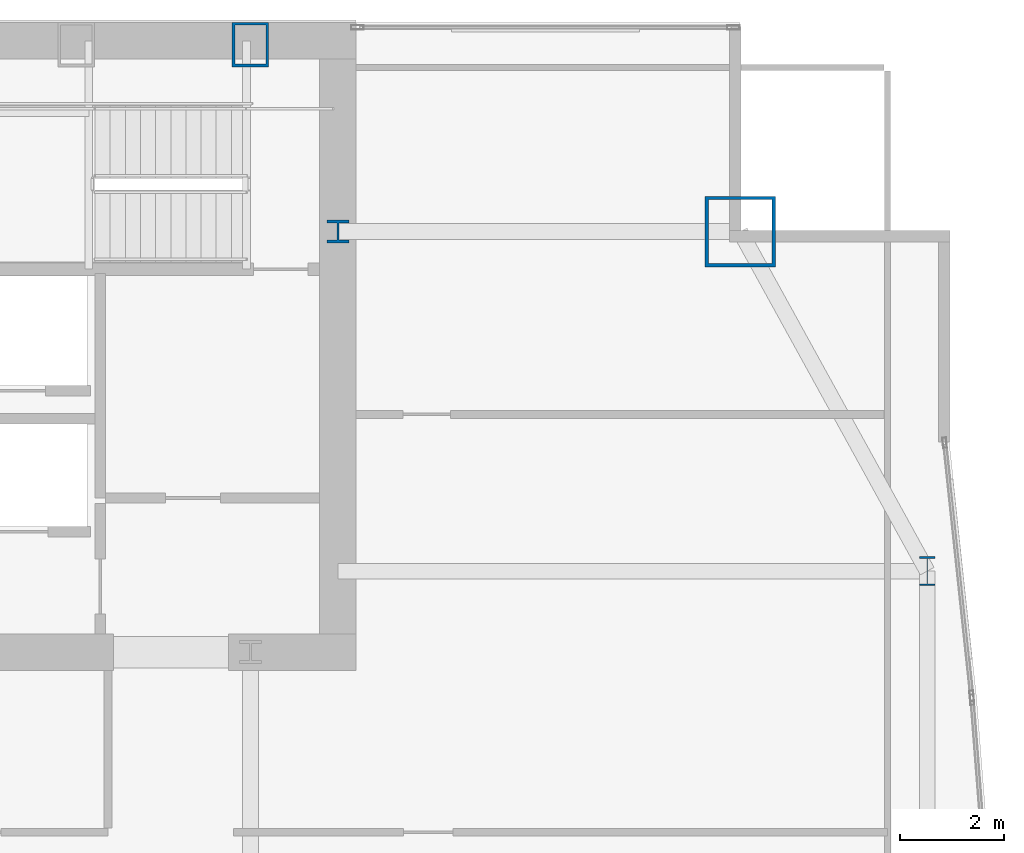
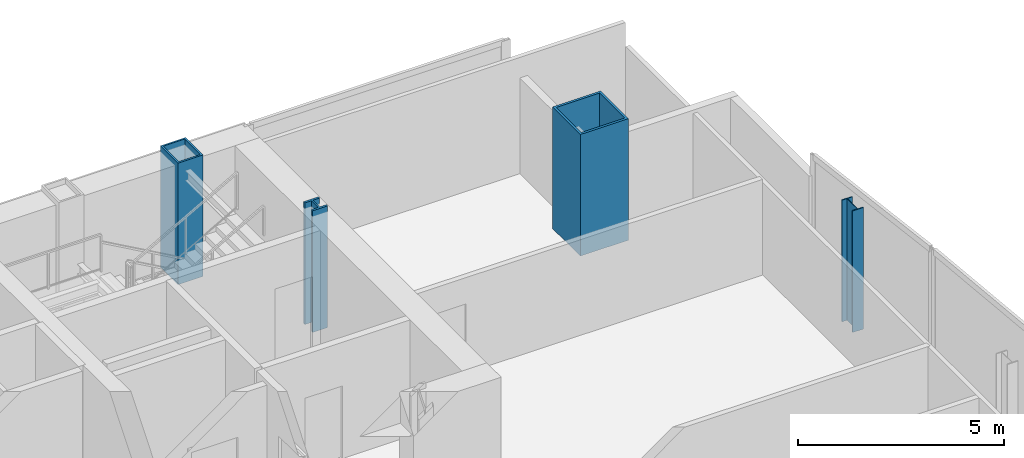
# One storey, part 4 of 29: 4 columns.
"""IFC4 building model written with IfcOpenShell, lengths in metres."""

from ifc_helpers import new_model, si_unit, direction, frame, origin, origin_2d, place, context, subcontext, project, spatial, hollow_rectangle, i_section, extrude, material, material_profile, profile_set, type_object, element, save


model = new_model("IFC4")

# Units and contexts
model_context = context("Model", 3, precision=1e-05, world=origin(), true_north=direction((0.0, 1.0)))
body_context = subcontext(model_context, "Body", "Model", "MODEL_VIEW")
ifc_project = project(units=[si_unit("LENGTHUNIT", "METRE"), si_unit("AREAUNIT", "SQUARE_METRE"), si_unit("VOLUMEUNIT", "CUBIC_METRE"), si_unit("PLANEANGLEUNIT", "RADIAN"), si_unit("MASSUNIT", "GRAM", prefix="KILO")], contexts=[model_context])

# Site, building, storey
site_placement = place(None, origin())
site = spatial("IfcSite", under=ifc_project, at=site_placement, CompositionType="ELEMENT")
building_placement = place(site_placement, origin())
building = spatial("IfcBuilding", under=site, at=building_placement, Name="Khoronbel Lancet Exchange", CompositionType="ELEMENT")
storey_placement = place(building_placement, frame((0.0, 0.0, 139.800048828125)))
storey = spatial("IfcBuildingStorey", under=building, at=storey_placement, Name="L34", CompositionType="ELEMENT", Elevation=139.800048828125)

# Columns
ifc_material_1 = material(Name="Steel S460", Category="steel")
ifc_material_profile_1 = material_profile(ifc_material_1, hollow_rectangle(XDim=0.699951171875, YDim=0.85009765625, WallThickness=0.050048828125, at=origin_2d()), Name="BOX 850x700x50")
ifc_profile_set_1 = profile_set([ifc_material_profile_1], Name="Steel S460")
column_type_1 = type_object("IfcColumnType", Name="COL-EC2", PredefinedType="COLUMN", material=ifc_profile_set_1)
column_1_placement = place(storey_placement, frame((54.675048828125, 53.280029296875, 0.0), z_axis=(0.0, 0.0, 1.0), x_axis=(1.0, 0.0, 0.0)))
element("IfcColumn", 1, at=column_1_placement, inside=storey, type_object=column_type_1, Name="Structural column NC-E2 L34", PredefinedType="COLUMN", context=body_context, shape_type="SweptSolid", body=[
    extrude(hollow_rectangle(XDim=0.699951171875, YDim=0.85009765625, WallThickness=0.050048828125, at=origin_2d()), origin(), (0.0, 0.0, 1.0), 3.599853515625),
])
ifc_material_profile_2 = material_profile(ifc_material_1, i_section(OverallWidth=0.416015625, OverallDepth=0.446044921875, WebThickness=0.0390625, FlangeThickness=0.062744140625, at=origin_2d()), Name="HD 400x509")
ifc_profile_set_2 = profile_set([ifc_material_profile_2], Name="Steel S460")
column_type_2 = type_object("IfcColumnType", Name="COL-IC2", PredefinedType="COLUMN", material=ifc_profile_set_2)
column_2_placement = place(storey_placement, frame((56.35009765625, 49.699951171875, 0.0), z_axis=(0.0, 0.0, 1.0), x_axis=(1.0, 0.0, 0.0)))
element("IfcColumn", 2, at=column_2_placement, inside=storey, type_object=column_type_2, Name="Core-flank plumb transfer column CFE L34", PredefinedType="COLUMN", context=body_context, shape_type="SweptSolid", body=[
    extrude(i_section(OverallWidth=0.416015625, OverallDepth=0.446044921875, WebThickness=0.0390625, FlangeThickness=0.062744140625, at=origin_2d()), origin(), (0.0, 0.0, 1.0), 3.599853515625),
])
ifc_material_2 = material(Name="Steel S355", Category="steel")
ifc_material_profile_3 = material_profile(ifc_material_2, i_section(OverallWidth=0.300048828125, OverallDepth=0.550048828125, WebThickness=0.014892578125, FlangeThickness=0.029052734375, at=origin_2d()), Name="HEB 550")
ifc_profile_set_3 = profile_set([ifc_material_profile_3], Name="Steel S355")
column_type_3 = type_object("IfcColumnType", Name="COL-LC1", PredefinedType="COLUMN", material=ifc_profile_set_3)
column_3_placement = place(storey_placement, frame((67.6298828125, 43.199951171875, 0.0), z_axis=(0.0, 0.0, 1.0), x_axis=(1.0, 0.0, 0.0)))
element("IfcColumn", 3, at=column_3_placement, inside=storey, type_object=column_type_3, Name="Structural column EC-4 L34", PredefinedType="COLUMN", context=body_context, shape_type="SweptSolid", body=[
    extrude(i_section(OverallWidth=0.300048828125, OverallDepth=0.550048828125, WebThickness=0.014892578125, FlangeThickness=0.029052734375, at=origin_2d()), origin(), (0.0, 0.0, 1.0), 3.599853515625),
])
ifc_material_profile_4 = material_profile(ifc_material_1, hollow_rectangle(XDim=1.35009765625, YDim=1.35009765625, WallThickness=0.06494140625, at=origin_2d()), Name="BOX 1350x1350x65")
ifc_profile_set_4 = profile_set([ifc_material_profile_4], Name="Steel S460")
column_type_4 = type_object("IfcColumnType", Name="COL-MC4", PredefinedType="COLUMN", material=ifc_profile_set_4)
column_4_placement = place(storey_placement, frame((64.050048828125, 49.699951171875, 0.0), z_axis=(0.0, 0.0, 1.0), x_axis=(1.0, 0.0, 0.0)))
element("IfcColumn", 4, at=column_4_placement, inside=storey, type_object=column_type_4, Name="Structural column MC-NE L34", PredefinedType="COLUMN", context=body_context, shape_type="SweptSolid", body=[
    extrude(hollow_rectangle(XDim=1.35009765625, YDim=1.35009765625, WallThickness=0.06494140625, at=origin_2d()), origin(), (0.0, 0.0, 1.0), 3.599853515625),
])

save(model, "model.ifc")
